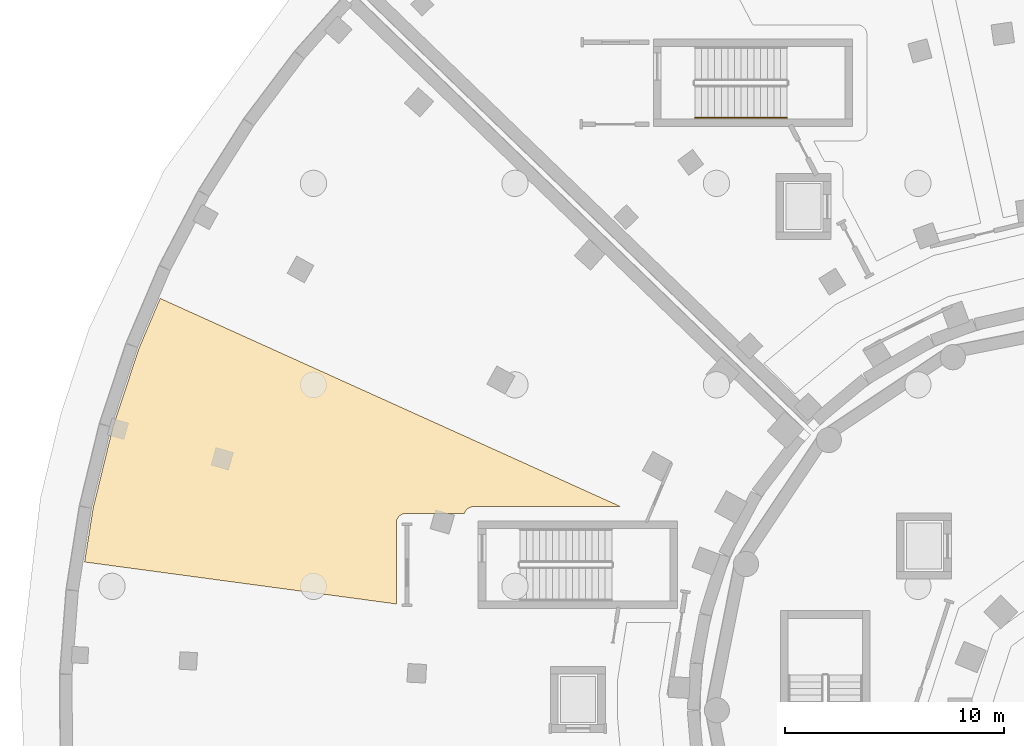
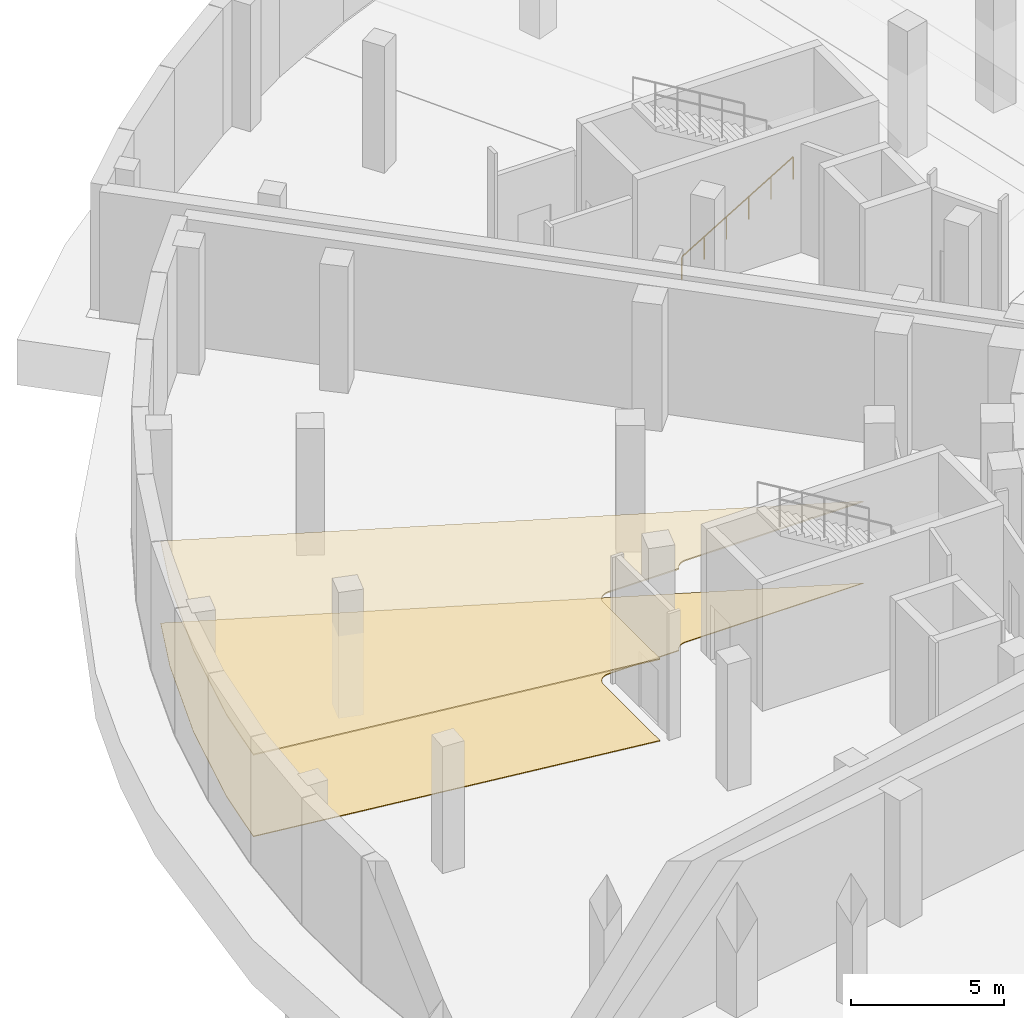
# One storey, part 25 of 33: 2 coverings, 1 railing.
"""IFC4 building model written with IfcOpenShell, lengths in metres."""

from ifc_helpers import new_model, si_unit, direction, frame, origin, origin_2d, place, context, subcontext, project, spatial, polyline, circle, outline, extrude, material, layer, layer_set, type_object, element, save


model = new_model("IFC4")

# Units and contexts
model_context = context("Model", 3, precision=1e-05, world=origin(), true_north=direction((0.0, 1.0)))
body_context = subcontext(model_context, "Body", "Model", "MODEL_VIEW")
ifc_project = project(units=[si_unit("LENGTHUNIT", "METRE"), si_unit("AREAUNIT", "SQUARE_METRE"), si_unit("VOLUMEUNIT", "CUBIC_METRE"), si_unit("PLANEANGLEUNIT", "RADIAN"), si_unit("MASSUNIT", "GRAM", prefix="KILO")], contexts=[model_context])

# Site, building, storey
site_placement = place(None, origin())
site = spatial("IfcSite", under=ifc_project, at=site_placement, CompositionType="ELEMENT")
building_placement = place(site_placement, origin())
building = spatial("IfcBuilding", under=site, at=building_placement, Name="Soyqirgoq Riverine Aquarium", CompositionType="ELEMENT")
storey_placement = place(building_placement, frame((0.0, 0.0, -5.39990234375)))
storey = spatial("IfcBuildingStorey", under=building, at=storey_placement, Name="B01", CompositionType="ELEMENT", Elevation=-5.39990234375)

# Covering
ifc_material_1 = material(Name="Perforated mineral-fibre acoustic ceiling", Category="gypsum")
ifc_layer_1 = layer(ifc_material_1, 0.050048828125)
ifc_layer_set_1 = layer_set([ifc_layer_1], Name="Perforated mineral-fibre acoustic ceiling")
covering_type_1 = type_object("IfcCoveringType", Name="AcousticBaffleCeiling_50", PredefinedType="CEILING", material=ifc_layer_set_1)
covering_1_placement = place(storey_placement, frame((0.0, 0.0, 3.25)))
element("IfcCovering", 1, at=covering_1_placement, inside=storey, type_object=covering_type_1, Name="Exhibit Carpentry Workshop Suspended Ceiling", PredefinedType="CEILING", context=body_context, shape_type="SweptSolid", body=[
    extrude(outline(polyline([(10.06396484375, 66.20703125), (10.965087890625, 69.9130859375), (12.1650390625, 73.534912109375), (13.12890625, 75.804931640625), (34.14892578125, 66.300048828125), (27.449951171875, 66.300048828125), (27.406005859375, 66.298095703125), (27.362060546875, 66.291015625), (27.319091796875, 66.281005859375), (27.278076171875, 66.26611328125), (27.238037109375, 66.2470703125), (27.199951171875, 66.22412109375), (27.1650390625, 66.197998046875), (27.132080078125, 66.16796875), (27.10205078125, 66.135009765625), (27.075927734375, 66.10009765625), (27.052978515625, 66.06201171875), (27.033935546875, 66.02197265625), (27.02294921875, 65.989990234375), (24.360107421875, 65.989990234375), (24.31591796875, 65.988037109375), (24.27197265625, 65.98095703125), (24.22900390625, 65.970947265625), (24.18798828125, 65.9560546875), (24.14794921875, 65.93701171875), (24.110107421875, 65.9140625), (24.074951171875, 65.887939453125), (24.0419921875, 65.85791015625), (24.011962890625, 65.824951171875), (23.986083984375, 65.7900390625), (23.962890625, 65.751953125), (23.944091796875, 65.7119140625), (23.928955078125, 65.6708984375), (23.9189453125, 65.6279296875), (23.912109375, 65.583984375), (23.909912109375, 65.5400390625), (23.909912109375, 61.85400390625), (9.677978515625, 63.77001953125), (10.06396484375, 66.20703125)])), origin(), (0.0, 0.0, 1.0), 0.0498046875),
])

# Railing
ifc_material_2 = material(Name="Brushed stainless steel 316L tubular handrail", Category="steel")
railing_type = type_object("IfcRailingType", Name="StairPitchHandrail_920", PredefinedType="HANDRAIL", material=ifc_material_2)
railing_placement = place(storey_placement, frame((37.550048828125, 84.050048828125, 0.179931640625)))
element("IfcRailing", 2, at=railing_placement, inside=storey, type_object=railing_type, Name="B01 ST-4 stair handrail 1", PredefinedType="HANDRAIL", context=body_context, shape_type="SweptSolid", body=[
    extrude(circle(Radius=0.02392578125, at=origin_2d()), frame((0.0, 0.0, 0.89990234375), z_axis=(0.857488527567, 0.0, 0.514503085598), x_axis=(0.0, 1.0, 0.0)), (0.0, 0.0, 1.0), 4.89794921875),
    extrude(circle(Radius=0.02099609375, at=origin_2d()), origin(), (0.0, 0.0, 1.0), 0.875732421875),
    extrude(circle(Radius=0.02099609375, at=origin_2d()), frame((0.840087890625, 0.0, 0.50390625)), (0.0, 0.0, 1.0), 0.875732421875),
    extrude(circle(Radius=0.02099609375, at=origin_2d()), frame((1.679931640625, 0.0, 1.008056640625)), (0.0, 0.0, 1.0), 0.875732421875),
    extrude(circle(Radius=0.02099609375, at=origin_2d()), frame((2.52001953125, 0.0, 1.511962890625)), (0.0, 0.0, 1.0), 0.875732421875),
    extrude(circle(Radius=0.02099609375, at=origin_2d()), frame((3.35986328125, 0.0, 2.01611328125)), (0.0, 0.0, 1.0), 0.875732421875),
    extrude(circle(Radius=0.02099609375, at=origin_2d()), frame((4.199951171875, 0.0, 2.52001953125)), (0.0, 0.0, 1.0), 0.875732421875),
])

# Covering
ifc_material_3 = material(Name="Polished Chirchiq river-pebble terrazzo flooring", Category="concrete")
ifc_layer_2 = layer(ifc_material_3, 0.030029296875)
ifc_layer_set_2 = layer_set([ifc_layer_2], Name="Polished Chirchiq river-pebble terrazzo flooring")
covering_type_2 = type_object("IfcCoveringType", Name="TerrazzoFloorFinish_30", PredefinedType="FLOORING", material=ifc_layer_set_2)
covering_2_placement = place(storey_placement, origin())
element("IfcCovering", 3, at=covering_2_placement, inside=storey, type_object=covering_type_2, Name="Exhibit Carpentry Workshop Floor Finish", PredefinedType="FLOORING", context=body_context, shape_type="SweptSolid", body=[
    extrude(outline(polyline([(10.06396484375, 66.20703125), (10.965087890625, 69.9130859375), (12.1650390625, 73.534912109375), (13.12890625, 75.804931640625), (34.14892578125, 66.300048828125), (27.449951171875, 66.300048828125), (27.406005859375, 66.298095703125), (27.362060546875, 66.291015625), (27.319091796875, 66.281005859375), (27.278076171875, 66.26611328125), (27.238037109375, 66.2470703125), (27.199951171875, 66.22412109375), (27.1650390625, 66.197998046875), (27.132080078125, 66.16796875), (27.10205078125, 66.135009765625), (27.075927734375, 66.10009765625), (27.052978515625, 66.06201171875), (27.033935546875, 66.02197265625), (27.02294921875, 65.989990234375), (24.360107421875, 65.989990234375), (24.31591796875, 65.988037109375), (24.27197265625, 65.98095703125), (24.22900390625, 65.970947265625), (24.18798828125, 65.9560546875), (24.14794921875, 65.93701171875), (24.110107421875, 65.9140625), (24.074951171875, 65.887939453125), (24.0419921875, 65.85791015625), (24.011962890625, 65.824951171875), (23.986083984375, 65.7900390625), (23.962890625, 65.751953125), (23.944091796875, 65.7119140625), (23.928955078125, 65.6708984375), (23.9189453125, 65.6279296875), (23.912109375, 65.583984375), (23.909912109375, 65.5400390625), (23.909912109375, 61.85400390625), (9.677978515625, 63.77001953125), (10.06396484375, 66.20703125)])), origin(), (0.0, 0.0, 1.0), 0.02978515625),
])

save(model, "model.ifc")
